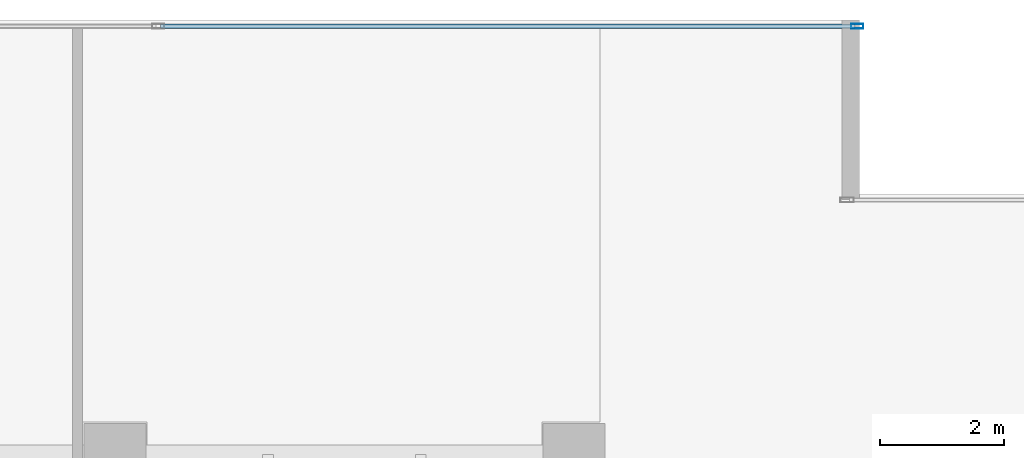
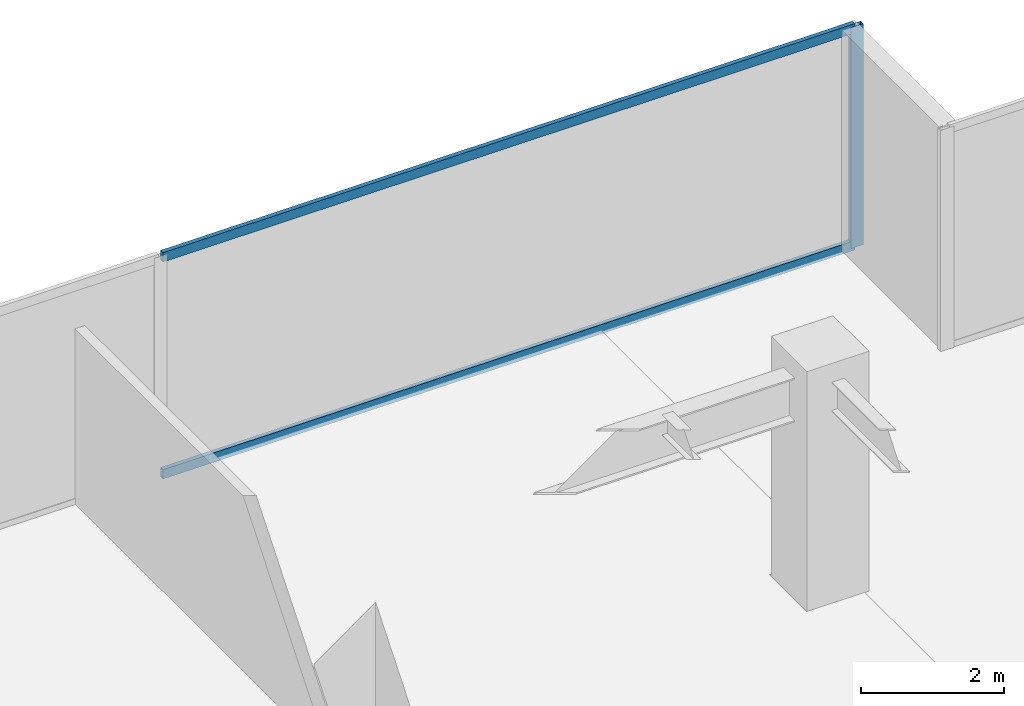
# One storey, part 27 of 37: 3 members, 1 element without a shape of its own.
"""IFC4 building model written with IfcOpenShell, lengths in metres."""

from ifc_helpers import new_model, si_unit, direction, frame, origin, origin_2d, place, context, subcontext, project, spatial, hollow_rectangle, extrude, source, transform, mapped, material, layer, layer_set, material_profile, profile_set, type_object, type_shapes, element, aggregate, save


model = new_model("IFC4")

# Units and contexts
model_context = context("Model", 3, precision=1e-05, world=origin(), true_north=direction((0.0, 1.0)))
body_context = subcontext(model_context, "Body", "Model", "MODEL_VIEW")
ifc_project = project(units=[si_unit("LENGTHUNIT", "METRE"), si_unit("AREAUNIT", "SQUARE_METRE"), si_unit("VOLUMEUNIT", "CUBIC_METRE"), si_unit("PLANEANGLEUNIT", "RADIAN"), si_unit("MASSUNIT", "GRAM", prefix="KILO")], contexts=[model_context])

# Site, building, storey
site_placement = place(None, origin())
site = spatial("IfcSite", under=ifc_project, at=site_placement, CompositionType="ELEMENT")
building_placement = place(site_placement, origin())
building = spatial("IfcBuilding", under=site, at=building_placement, Name="Haelvirn Gate Laboratories", CompositionType="ELEMENT")
storey_placement = place(building_placement, frame((0.0, 0.0, 78.5)))
storey = spatial("IfcBuildingStorey", under=building, at=storey_placement, Name="L19", CompositionType="ELEMENT", Elevation=78.5)

# Curtain wall, members
ifc_material_1 = material(Name="Anodised bronze unitised aluminium & triple low-E glass", Category="aluminium")
ifc_layer = layer(ifc_material_1, 0.18408203125, Name="CW-SYS-2")
ifc_layer_set = layer_set([ifc_layer], Name="Anodised bronze unitised aluminium & triple low-E glass")
curtain_wall_type = type_object("IfcCurtainWallType", Name="CW-SYS-2", PredefinedType="NOTDEFINED", material=ifc_layer_set)
curtain_wall_placement = place(storey_placement, origin())
curtain_wall = element("IfcCurtainWall", 1, at=curtain_wall_placement, inside=storey, type_object=curtain_wall_type, Name="L19 Unitised Curtain Wall CW-L19-P0-E10-1", PredefinedType="NOTDEFINED")
ifc_material_2 = material(Name="Extruded aluminium 6063-T6 (anodised bronze)", Category="aluminium")
ifc_material_profile_1 = material_profile(ifc_material_2, hollow_rectangle(XDim=0.074951171875, YDim=0.199951171875, WallThickness=0.0048828125, at=origin_2d()), Name="CWM-200x75x5")
ifc_profile_set_1 = profile_set([ifc_material_profile_1], Name="Extruded aluminium 6063-T6 (anodised bronze)")
member_type_1 = type_object("IfcMemberType", Name="CWM-T200", PredefinedType="MULLION", material=ifc_profile_set_1)
shared_shape_1 = source(origin(), body_context, "Body", "SweptSolid", [
    extrude(hollow_rectangle(XDim=0.074951171875, YDim=0.199951171875, WallThickness=0.0048828125, at=origin_2d()), origin(), (0.0, 0.0, 1.0), 3.780029296875),
])
type_shapes(member_type_1, [shared_shape_1])
member_1_placement = place(storey_placement, frame((71.96240234375, 48.5, 0.0), z_axis=(0.0, 0.0, 1.0), x_axis=(0.0, 1.0, 0.0)))
member_1 = element("IfcMember", 2, at=member_1_placement, type_object=member_type_1, Name="CW2 mullion 3", PredefinedType="MULLION", context=body_context, shape_type="MappedRepresentation", body=[
    mapped(shared_shape_1, transform((0.0, 0.0, 0.0), scale=1.0)),
])
ifc_material_profile_2 = material_profile(ifc_material_2, hollow_rectangle(XDim=0.070068359375, YDim=0.159912109375, WallThickness=0.0048828125, at=origin_2d()), Name="CWT-160x70x5")
ifc_profile_set_2 = profile_set([ifc_material_profile_2], Name="Extruded aluminium 6063-T6 (anodised bronze)")
member_type_2 = type_object("IfcMemberType", Name="CWT-T160", PredefinedType="USERDEFINED", material=ifc_profile_set_2)
shared_shape_2 = source(origin(), body_context, "Body", "SweptSolid", [
    extrude(hollow_rectangle(XDim=0.070068359375, YDim=0.159912109375, WallThickness=0.0048828125, at=origin_2d()), origin(), (0.0, 0.0, 1.0), 11.1875),
])
type_shapes(member_type_2, [shared_shape_2])
member_2_placement = place(storey_placement, frame((60.737548828125, 48.5, 0.034912109375), z_axis=(1.0, 0.0, 0.0), x_axis=(0.0, 1.0, 0.0)))
member_2 = element("IfcMember", 3, at=member_2_placement, type_object=member_type_2, Name="CW2 transom 2.1", ObjectType="TRANSOM", PredefinedType="USERDEFINED", context=body_context, shape_type="MappedRepresentation", body=[
    mapped(shared_shape_2, transform((0.0, 0.0, 0.0), scale=1.0)),
])
member_3_placement = place(storey_placement, frame((60.737548828125, 48.5, 3.7451171875), z_axis=(1.0, 0.0, 0.0), x_axis=(0.0, 1.0, 0.0)))
member_3 = element("IfcMember", 4, at=member_3_placement, type_object=member_type_2, Name="CW2 transom 2.2", ObjectType="TRANSOM", PredefinedType="USERDEFINED", context=body_context, shape_type="MappedRepresentation", body=[
    mapped(shared_shape_2, transform((0.0, 0.0, 0.0), scale=1.0)),
])
aggregate(curtain_wall, [member_1, member_2, member_3])

save(model, "model.ifc")
